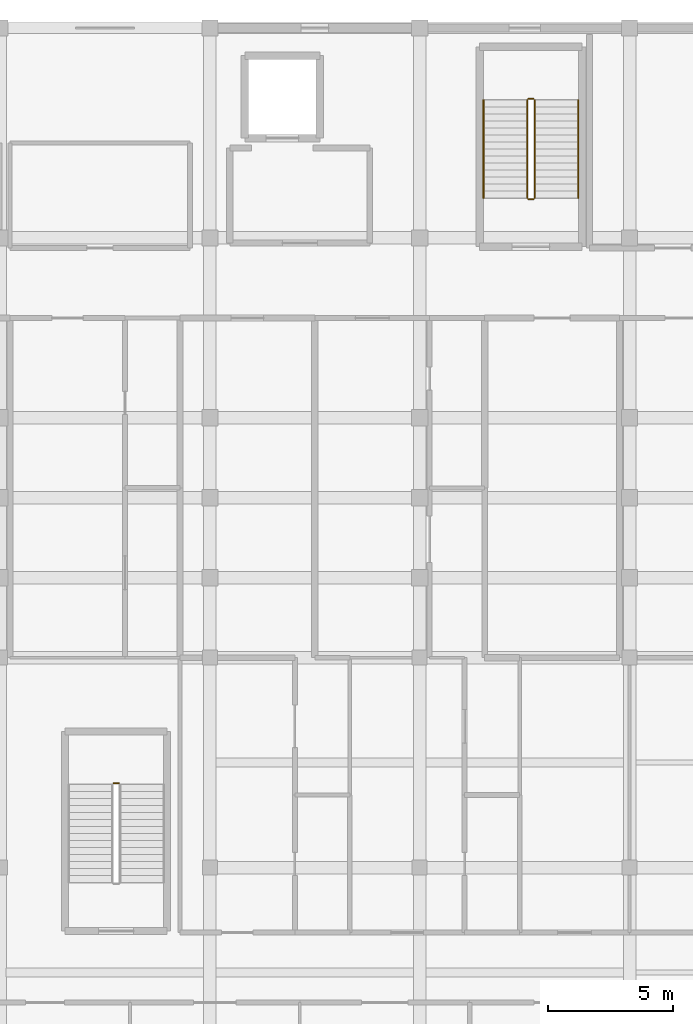
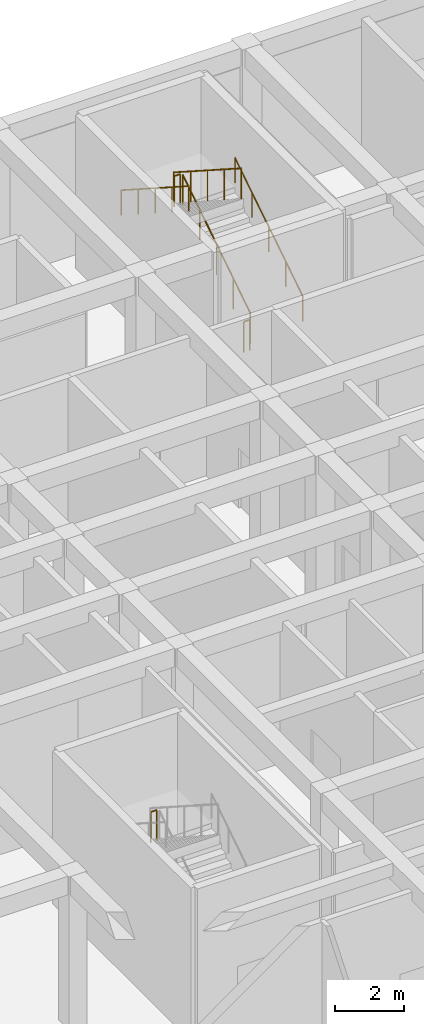
# One storey, part 78 of 89: 7 railings.
"""IFC4 building model written with IfcOpenShell, lengths in metres."""

from ifc_helpers import new_model, si_unit, direction, frame, origin, origin_2d, place, context, subcontext, project, spatial, circle, extrude, material, type_object, element, save


model = new_model("IFC4")

# Units and contexts
model_context = context("Model", 3, precision=1e-05, world=origin(), true_north=direction((0.0, 1.0)))
body_context = subcontext(model_context, "Body", "Model", "MODEL_VIEW")
ifc_project = project(units=[si_unit("LENGTHUNIT", "METRE"), si_unit("AREAUNIT", "SQUARE_METRE"), si_unit("VOLUMEUNIT", "CUBIC_METRE"), si_unit("PLANEANGLEUNIT", "RADIAN"), si_unit("MASSUNIT", "GRAM", prefix="KILO")], contexts=[model_context])

# Site, building, storey
site_placement = place(None, origin())
site = spatial("IfcSite", under=ifc_project, at=site_placement, CompositionType="ELEMENT")
building_placement = place(site_placement, origin())
building = spatial("IfcBuilding", under=site, at=building_placement, Name="Varncliffe General Hospital", CompositionType="ELEMENT")
storey_placement = place(building_placement, frame((0.0, 0.0, 10.800048828125)))
storey = spatial("IfcBuildingStorey", under=building, at=storey_placement, Name="L02", CompositionType="ELEMENT", Elevation=10.800048828125)

# Railings
ifc_material = material(Name="Powder-coated hospital steel guardrail and handrail", Category="steel")
railing_type_1 = type_object("IfcRailingType", Name="Stair and Ramp Handrail HR46", PredefinedType="HANDRAIL", material=ifc_material)
railing_1_placement = place(storey_placement, frame((56.75, 118.0, 0.364013671875)))
element("IfcRailing", 1, at=railing_1_placement, inside=storey, type_object=railing_type_1, Name="L02 ST02 stair handrail 1", PredefinedType="HANDRAIL", context=body_context, shape_type="SweptSolid", body=[
    extrude(circle(Radius=0.02392578125, at=origin_2d()), frame((0.0, 0.0, 0.8759765625), z_axis=(0.0, 0.841171666519, 0.540768182723), x_axis=(-1.0, 0.0, 0.0)), (0.0, 0.0, 1.0), 4.66015625),
    extrude(circle(Radius=0.02099609375, at=origin_2d()), origin(), (0.0, 0.0, 1.0), 0.851806640625),
    extrude(circle(Radius=0.02099609375, at=origin_2d()), frame((0.0, 0.97998046875, 0.6298828125)), (0.0, 0.0, 1.0), 0.851806640625),
    extrude(circle(Radius=0.02099609375, at=origin_2d()), frame((0.0, 1.9599609375, 1.260009765625)), (0.0, 0.0, 1.0), 0.851806640625),
    extrude(circle(Radius=0.02099609375, at=origin_2d()), frame((0.0, 2.93994140625, 1.89013671875)), (0.0, 0.0, 1.0), 0.851806640625),
    extrude(circle(Radius=0.02099609375, at=origin_2d()), frame((0.0, 3.919921875, 2.52001953125)), (0.0, 0.0, 1.0), 0.851806640625),
])
railing_2_placement = place(storey_placement, frame((52.949951171875, 121.919921875, 3.06396484375)))
element("IfcRailing", 2, at=railing_2_placement, inside=storey, type_object=railing_type_1, Name="L02 ST02 stair handrail 2", PredefinedType="HANDRAIL", context=body_context, shape_type="SweptSolid", body=[
    extrude(circle(Radius=0.02392578125, at=origin_2d()), frame((0.0, 0.0, 0.8759765625), z_axis=(0.0, -0.841171666519, 0.540768182723), x_axis=(1.0, 0.0, 0.0)), (0.0, 0.0, 1.0), 4.66015625),
    extrude(circle(Radius=0.02099609375, at=origin_2d()), origin(), (0.0, 0.0, 1.0), 0.851806640625),
    extrude(circle(Radius=0.02099609375, at=origin_2d()), frame((0.0, -0.97998046875, 0.6298828125)), (0.0, 0.0, 1.0), 0.851806640625),
    extrude(circle(Radius=0.02099609375, at=origin_2d()), frame((0.0, -1.9599609375, 1.260009765625)), (0.0, 0.0, 1.0), 0.851806640625),
    extrude(circle(Radius=0.02099609375, at=origin_2d()), frame((0.0, -2.93994140625, 1.89013671875)), (0.0, 0.0, 1.0), 0.851806640625),
    extrude(circle(Radius=0.02099609375, at=origin_2d()), frame((0.0, -3.919921875, 2.52001953125)), (0.0, 0.0, 1.0), 0.851806640625),
])
railing_type_2 = type_object("IfcRailingType", Name="Stairwell Guardrail SG49", PredefinedType="GUARDRAIL", material=ifc_material)
railing_3_placement = place(storey_placement, frame((55.0, 118.0, 0.179931640625)))
element("IfcRailing", 3, at=railing_3_placement, inside=storey, type_object=railing_type_2, Name="L02 ST02 stair guard 1", PredefinedType="GUARDRAIL", context=body_context, shape_type="SweptSolid", body=[
    extrude(circle(Radius=0.02392578125, at=origin_2d()), frame((0.0, 0.0, 1.076171875), z_axis=(0.0, 0.841171666519, 0.540768182723), x_axis=(-1.0, 0.0, 0.0)), (0.0, 0.0, 1.0), 4.66015625),
    extrude(circle(Radius=0.02099609375, at=origin_2d()), origin(), (0.0, 0.0, 1.0), 1.052001953125),
    extrude(circle(Radius=0.02099609375, at=origin_2d()), frame((0.0, 0.97998046875, 0.6298828125)), (0.0, 0.0, 1.0), 1.052001953125),
    extrude(circle(Radius=0.02099609375, at=origin_2d()), frame((0.0, 1.9599609375, 1.260009765625)), (0.0, 0.0, 1.0), 1.052001953125),
    extrude(circle(Radius=0.02099609375, at=origin_2d()), frame((0.0, 2.93994140625, 1.89013671875)), (0.0, 0.0, 1.0), 1.052001953125),
    extrude(circle(Radius=0.02099609375, at=origin_2d()), frame((0.0, 3.919921875, 2.52001953125)), (0.0, 0.0, 1.0), 1.052001953125),
])
railing_4_placement = place(storey_placement, frame((54.949951171875, 121.969970703125, 2.699951171875)))
element("IfcRailing", 4, at=railing_4_placement, inside=storey, type_object=railing_type_2, Name="L02 ST02 stair guard 2", PredefinedType="GUARDRAIL", context=body_context, shape_type="SweptSolid", body=[
    extrude(circle(Radius=0.02392578125, at=origin_2d()), frame((0.0, 0.0, 1.076171875), z_axis=(-1.0, 0.0, 0.0), x_axis=(0.0, -1.0, 0.0)), (0.0, 0.0, 1.0), 0.199951171875),
    extrude(circle(Radius=0.02099609375, at=origin_2d()), origin(), (0.0, 0.0, 1.0), 1.052001953125),
    extrude(circle(Radius=0.02099609375, at=origin_2d()), frame((-0.199951171875, 0.0, 0.0)), (0.0, 0.0, 1.0), 1.052001953125),
])
railing_5_placement = place(storey_placement, frame((54.699951171875, 121.919921875, 2.8798828125)))
element("IfcRailing", 5, at=railing_5_placement, inside=storey, type_object=railing_type_2, Name="L02 ST02 stair guard 3", PredefinedType="GUARDRAIL", context=body_context, shape_type="SweptSolid", body=[
    extrude(circle(Radius=0.02392578125, at=origin_2d()), frame((0.0, 0.0, 1.076171875), z_axis=(0.0, -0.841171666519, 0.540768182723), x_axis=(1.0, 0.0, 0.0)), (0.0, 0.0, 1.0), 4.66015625),
    extrude(circle(Radius=0.02099609375, at=origin_2d()), origin(), (0.0, 0.0, 1.0), 1.052001953125),
    extrude(circle(Radius=0.02099609375, at=origin_2d()), frame((0.0, -0.97998046875, 0.6298828125)), (0.0, 0.0, 1.0), 1.052001953125),
    extrude(circle(Radius=0.02099609375, at=origin_2d()), frame((0.0, -1.9599609375, 1.260009765625)), (0.0, 0.0, 1.0), 1.052001953125),
    extrude(circle(Radius=0.02099609375, at=origin_2d()), frame((0.0, -2.93994140625, 1.89013671875)), (0.0, 0.0, 1.0), 1.052001953125),
    extrude(circle(Radius=0.02099609375, at=origin_2d()), frame((0.0, -3.919921875, 2.52001953125)), (0.0, 0.0, 1.0), 1.052001953125),
])
railing_6_placement = place(storey_placement, frame((54.949951171875, 117.949951171875, 0.0)))
element("IfcRailing", 6, at=railing_6_placement, inside=storey, type_object=railing_type_2, Name="L02 ST02 stair guard 4", PredefinedType="GUARDRAIL", context=body_context, shape_type="SweptSolid", body=[
    extrude(circle(Radius=0.02392578125, at=origin_2d()), frame((0.0, 0.0, 1.076171875), z_axis=(-1.0, 0.0, 0.0), x_axis=(0.0, -1.0, 0.0)), (0.0, 0.0, 1.0), 0.199951171875),
    extrude(circle(Radius=0.02099609375, at=origin_2d()), origin(), (0.0, 0.0, 1.0), 1.052001953125),
    extrude(circle(Radius=0.02099609375, at=origin_2d()), frame((-0.199951171875, 0.0, 0.0)), (0.0, 0.0, 1.0), 1.052001953125),
])
railing_7_placement = place(storey_placement, frame((38.35009765625, 94.570068359375, 2.699951171875)))
element("IfcRailing", 7, at=railing_7_placement, inside=storey, type_object=railing_type_2, Name="L02 ST13 stair guard 2", PredefinedType="GUARDRAIL", context=body_context, shape_type="SweptSolid", body=[
    extrude(circle(Radius=0.02392578125, at=origin_2d()), frame((0.0, 0.0, 1.076171875), z_axis=(-1.0, 0.0, 0.0), x_axis=(0.0, -1.0, 0.0)), (0.0, 0.0, 1.0), 0.2001953125),
    extrude(circle(Radius=0.02099609375, at=origin_2d()), origin(), (0.0, 0.0, 1.0), 1.052001953125),
    extrude(circle(Radius=0.02099609375, at=origin_2d()), frame((-0.2001953125, 0.0, 0.0)), (0.0, 0.0, 1.0), 1.052001953125),
])

save(model, "model.ifc")
